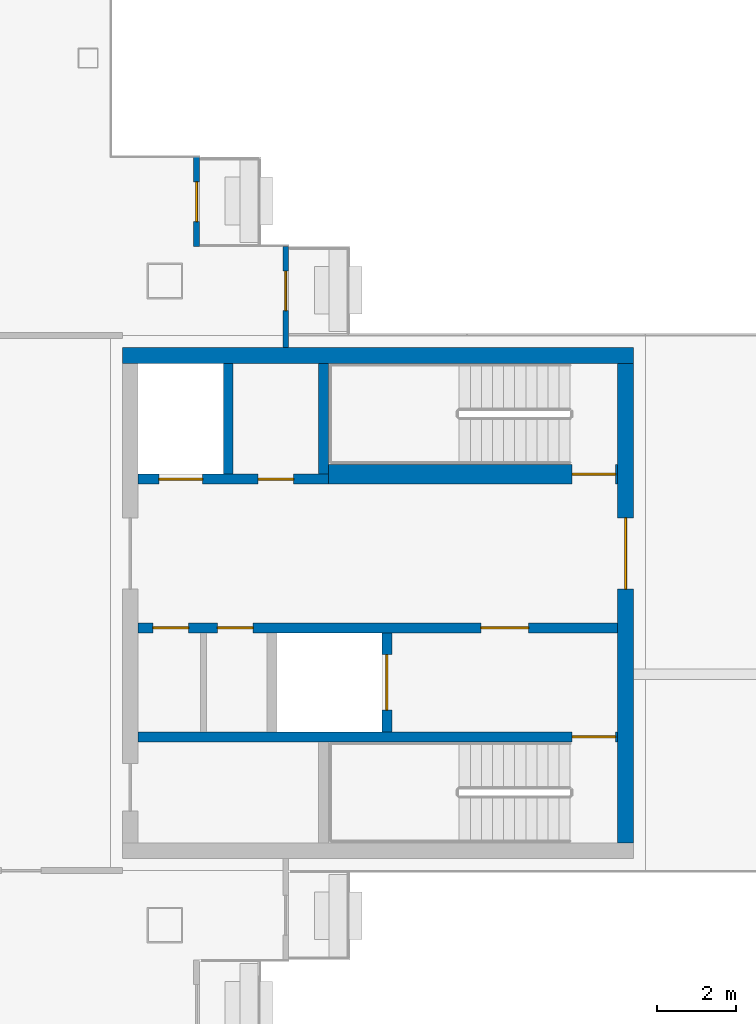
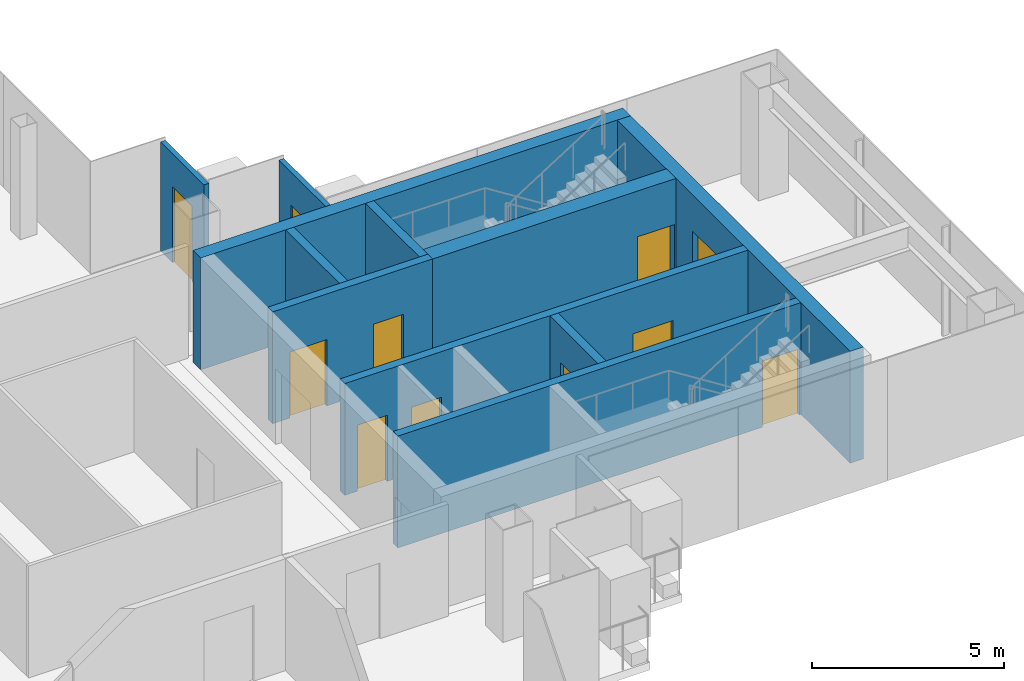
# One storey, part 12 of 16: 11 doors, 11 walls, 11 openings.
"""IFC4 building model written with IfcOpenShell, lengths in metres."""

from ifc_helpers import new_model, si_unit, direction, frame, frame_2d, origin, place, context, subcontext, project, spatial, rectangle, extrude, material, layer, layer_set, type_object, element, fill, save


model = new_model("IFC4")

# Units and contexts
model_context = context("Model", 3, precision=1e-05, world=origin(), true_north=direction((0.0, 1.0)))
body_context = subcontext(model_context, "Body", "Model", "MODEL_VIEW")
ifc_project = project(units=[si_unit("LENGTHUNIT", "METRE"), si_unit("AREAUNIT", "SQUARE_METRE"), si_unit("VOLUMEUNIT", "CUBIC_METRE"), si_unit("PLANEANGLEUNIT", "RADIAN"), si_unit("MASSUNIT", "GRAM", prefix="KILO")], contexts=[model_context])

# Site, building, storey
site_placement = place(None, origin())
site = spatial("IfcSite", under=ifc_project, at=site_placement, CompositionType="ELEMENT")
building_placement = place(site_placement, origin())
building = spatial("IfcBuilding", under=site, at=building_placement, Name="Shamsa Quay Exchange Towers", CompositionType="ELEMENT")
storey_placement = place(building_placement, frame((0.0, 0.0, 242.10009765625)))
storey = spatial("IfcBuildingStorey", under=building, at=storey_placement, Name="L58", CompositionType="ELEMENT", Elevation=242.10009765625)

# Wall, opening, door
ifc_material_1 = material(Name="Aluminium EN AW-6063 T6, black anodised, with black enamelled glass infill", Category="aluminium")
ifc_layer_1 = layer(ifc_material_1, 0.14990234375)
ifc_layer_set_1 = layer_set([ifc_layer_1], Name="BALCONY DOOR BAY WALL 150")
wall_type_1 = type_object("IfcWallType", Name="BALCONY DOOR BAY WALL 150", PredefinedType="SOLIDWALL", material=ifc_layer_set_1)
wall_1_placement = place(storey_placement, frame((42.675048828125, 11.25, 0.0), z_axis=(0.0, 0.0, 1.0), x_axis=(0.0, -1.0, 0.0)))
wall_1 = element("IfcWall", 1, at=wall_1_placement, inside=storey, type_object=wall_type_1, Name="Door bay T2-PKES L58", PredefinedType="SOLIDWALL", context=body_context, shape_type="SweptSolid", body=[
    extrude(rectangle(XDim=2.25, YDim=0.14990234375, at=frame_2d((1.125, 0.0))), origin(), (0.0, 0.0, 1.0), 3.449951171875),
])
opening_1_placement = place(wall_1_placement, frame((0.625, 0.0, 0.0)))
opening_1 = element("IfcOpeningElement", 2, at=opening_1_placement, cuts=wall_1, Name="Opening XD387", PredefinedType="OPENING", context=body_context, shape_type="SweptSolid", body=[
    extrude(rectangle(XDim=1.0, YDim=2.39990234375, at=frame_2d((0.5, 1.199951171875))), frame((0.0, 0.0849609375, 0.0), z_axis=(0.0, -1.0, 0.0), x_axis=(1.0, 0.0, 0.0)), (0.0, 0.0, 1.0), 0.169921875),
])
ifc_material_2 = material(Name="Aluminium EN AW-6063 T6, black anodised, with laminated glass leaf", Category="aluminium")
door_type_1 = type_object("IfcDoorType", Name="BALCONY DOOR 1000x2400", OperationType="SINGLE_SWING_LEFT", PredefinedType="DOOR", material=ifc_material_2)
door_1_placement = place(opening_1_placement, origin())
door_1 = element("IfcDoor", 3, at=door_1_placement, inside=storey, type_object=door_type_1, Name="Balcony door T2-PKES L58", OperationType="SINGLE_SWING_RIGHT", OverallHeight=2.39990234375, OverallWidth=1.0, PredefinedType="DOOR", context=body_context, shape_type="SweptSolid", body=[
    extrude(rectangle(XDim=1.0, YDim=2.39990234375, at=frame_2d((0.5, 1.199951171875))), frame((0.0, 0.02490234375, 0.0), z_axis=(0.0, -1.0, 0.0), x_axis=(1.0, 0.0, 0.0)), (0.0, 0.0, 1.0), 0.050048828125),
])
fill(opening_1, door_1)

wall_2_placement = place(storey_placement, frame((44.925048828125, 9.0, 0.0), z_axis=(0.0, 0.0, 1.0), x_axis=(0.0, -1.0, 0.0)))
wall_2 = element("IfcWall", 4, at=wall_2_placement, inside=storey, type_object=wall_type_1, Name="Door bay T2-PKES L58", PredefinedType="SOLIDWALL", context=body_context, shape_type="SweptSolid", body=[
    extrude(rectangle(XDim=2.556884765625, YDim=0.14990234375, at=frame_2d((1.2783203125, 0.0))), origin(), (0.0, 0.0, 1.0), 3.449951171875),
])
opening_2_placement = place(wall_2_placement, frame((0.625, 0.0, 0.0)))
opening_2 = element("IfcOpeningElement", 5, at=opening_2_placement, cuts=wall_2, Name="Opening XD388", PredefinedType="OPENING", context=body_context, shape_type="SweptSolid", body=[
    extrude(rectangle(XDim=1.0, YDim=2.39990234375, at=frame_2d((0.5, 1.199951171875))), frame((0.0, 0.0849609375, 0.0), z_axis=(0.0, -1.0, 0.0), x_axis=(1.0, 0.0, 0.0)), (0.0, 0.0, 1.0), 0.169921875),
])
door_2_placement = place(opening_2_placement, origin())
door_2 = element("IfcDoor", 6, at=door_2_placement, inside=storey, type_object=door_type_1, Name="Balcony door T2-PKES L58", OperationType="SINGLE_SWING_LEFT", OverallHeight=2.39990234375, OverallWidth=1.0, PredefinedType="DOOR", context=body_context, shape_type="SweptSolid", body=[
    extrude(rectangle(XDim=1.0, YDim=2.39990234375, at=frame_2d((0.5, 1.199951171875))), frame((0.0, 0.02490234375, 0.0), z_axis=(0.0, -1.0, 0.0), x_axis=(1.0, 0.0, 0.0)), (0.0, 0.0, 1.0), 0.050048828125),
])
fill(opening_2, door_2)

# Wall
ifc_material_3 = material(Name="Concrete C60/75", Category="concrete")
ifc_layer_2 = layer(ifc_material_3, 0.39990234375)
ifc_layer_set_2 = layer_set([ifc_layer_2], Name="CORE WALL 400 C60/75")
wall_type_2 = type_object("IfcWallType", Name="CORE WALL 400 C60/75", PredefinedType="SHEAR", material=ifc_layer_set_2)
wall_3_placement = place(storey_placement, frame((53.699951171875, 6.25, 0.0), z_axis=(0.0, 0.0, 1.0), x_axis=(-1.0, 0.0, 0.0)))
element("IfcWall", 7, at=wall_3_placement, inside=storey, type_object=wall_type_2, Name="Core wall T2B-R26-PN", PredefinedType="SHEAR", context=body_context, shape_type="SweptSolid", body=[
    extrude(rectangle(XDim=12.89990234375, YDim=0.39990234375, at=frame_2d((6.449951171875, 0.0))), origin(), (0.0, 0.0, 1.0), 3.5498046875),
])

# Wall, opening, door
wall_4_placement = place(storey_placement, frame((53.5, -6.050048828125, 0.0), z_axis=(0.0, 0.0, 1.0), x_axis=(0.0, 1.0, 0.0)))
wall_4 = element("IfcWall", 8, at=wall_4_placement, inside=storey, type_object=wall_type_2, Name="Core wall T2B-R26-PF", PredefinedType="SHEAR", context=body_context, shape_type="SweptSolid", body=[
    extrude(rectangle(XDim=12.10009765625, YDim=0.39990234375, at=frame_2d((6.050048828125, 0.0))), origin(), (0.0, 0.0, 1.0), 3.5498046875),
])
opening_3_placement = place(wall_4_placement, frame((6.39990234375, 0.0, 0.0)))
opening_3 = element("IfcOpeningElement", 9, at=opening_3_placement, cuts=wall_4, Name="Opening T2B-R26-LBD01", PredefinedType="OPENING", context=body_context, shape_type="SweptSolid", body=[
    extrude(rectangle(XDim=1.800048828125, YDim=2.39990234375, at=frame_2d((0.89990234375, 1.199951171875))), frame((0.0, 0.2099609375, 0.0), z_axis=(0.0, -1.0, 0.0), x_axis=(1.0, 0.0, 0.0)), (0.0, 0.0, 1.0), 0.419921875),
])
ifc_material_4 = material(Name="Steel, fire rated", Category="steel")
door_type_2 = type_object("IfcDoorType", Name="LIFT LOBBY DOOR PAIR 1800", OperationType="DOUBLE_DOOR_SINGLE_SWING", PredefinedType="DOOR", material=ifc_material_4)
door_3_placement = place(opening_3_placement, origin())
door_3 = element("IfcDoor", 10, at=door_3_placement, inside=storey, type_object=door_type_2, Name="T2B-R26-LBD01", OperationType="DOUBLE_DOOR_SINGLE_SWING", OverallHeight=2.39990234375, OverallWidth=1.800048828125, PredefinedType="DOOR", context=body_context, shape_type="SweptSolid", body=[
    extrude(rectangle(XDim=1.800048828125, YDim=2.39990234375, at=frame_2d((0.89990234375, 1.199951171875))), frame((0.0, 0.02490234375, 0.0), z_axis=(0.0, -1.0, 0.0), x_axis=(1.0, 0.0, 0.0)), (0.0, 0.0, 1.0), 0.050048828125),
])
fill(opening_3, door_3)

ifc_material_5 = material(Name="Concrete C50/60", Category="concrete")
ifc_layer_3 = layer(ifc_material_5, 0.25)
ifc_layer_set_3 = layer_set([ifc_layer_3], Name="SHAFT WALL 250 C50/60")
wall_type_3 = type_object("IfcWallType", Name="SHAFT WALL 250 C50/60", PredefinedType="SHEAR", material=ifc_layer_set_3)
wall_5_placement = place(storey_placement, frame((53.300048828125, -3.375, 0.0), z_axis=(0.0, 0.0, 1.0), x_axis=(-1.0, 0.0, 0.0)))
wall_5 = element("IfcWall", 11, at=wall_5_placement, inside=storey, type_object=wall_type_3, Name="Shaft wall T2B-R26-STL", PredefinedType="SHEAR", context=body_context, shape_type="SweptSolid", body=[
    extrude(rectangle(XDim=12.10009765625, YDim=0.25, at=frame_2d((6.050048828125, 0.0))), origin(), (0.0, 0.0, 1.0), 3.5498046875),
])
opening_4_placement = place(wall_5_placement, frame((0.050048828125, 0.0, 0.0)))
opening_4 = element("IfcOpeningElement", 12, at=opening_4_placement, cuts=wall_5, Name="Opening T2B-R26-SD04", PredefinedType="OPENING", context=body_context, shape_type="SweptSolid", body=[
    extrude(rectangle(XDim=1.10009765625, YDim=2.10009765625, at=frame_2d((0.550048828125, 1.050048828125))), frame((0.0, 0.135009765625, 0.0), z_axis=(0.0, -1.0, 0.0), x_axis=(1.0, 0.0, 0.0)), (0.0, 0.0, 1.0), 0.27001953125),
])
door_type_3 = type_object("IfcDoorType", Name="STAIR DOOR 1100", OperationType="SINGLE_SWING_LEFT", PredefinedType="DOOR", material=ifc_material_4)
door_4_placement = place(opening_4_placement, origin())
door_4 = element("IfcDoor", 13, at=door_4_placement, inside=storey, type_object=door_type_3, Name="T2B-R26-SD04", OperationType="SINGLE_SWING_LEFT", OverallHeight=2.10009765625, OverallWidth=1.10009765625, PredefinedType="DOOR", context=body_context, shape_type="SweptSolid", body=[
    extrude(rectangle(XDim=1.10009765625, YDim=2.10009765625, at=frame_2d((0.550048828125, 1.050048828125))), frame((0.0, 0.02490234375, 0.0), z_axis=(0.0, -1.0, 0.0), x_axis=(1.0, 0.0, 0.0)), (0.0, 0.0, 1.0), 0.050048828125),
])
fill(opening_4, door_4)

# Wall, openings, doors
wall_6_placement = place(storey_placement, frame((53.300048828125, -0.625, 0.0), z_axis=(0.0, 0.0, 1.0), x_axis=(-1.0, 0.0, 0.0)))
wall_6 = element("IfcWall", 14, at=wall_6_placement, inside=storey, type_object=wall_type_3, Name="Shaft wall T2B-R26-B", PredefinedType="SHEAR", context=body_context, shape_type="SweptSolid", body=[
    extrude(rectangle(XDim=12.10009765625, YDim=0.25, at=frame_2d((6.050048828125, 0.0))), origin(), (0.0, 0.0, 1.0), 3.5498046875),
])
opening_5_placement = place(wall_6_placement, frame((2.25, 0.0, 0.0)))
opening_5 = element("IfcOpeningElement", 15, at=opening_5_placement, cuts=wall_6, Name="Opening T2B-R26-FD05", PredefinedType="OPENING", context=body_context, shape_type="SweptSolid", body=[
    extrude(rectangle(XDim=1.199951171875, YDim=2.10009765625, at=frame_2d((0.60009765625, 1.050048828125))), frame((0.0, 0.135009765625, 0.0), z_axis=(0.0, -1.0, 0.0), x_axis=(1.0, 0.0, 0.0)), (0.0, 0.0, 1.0), 0.27001953125),
])
opening_6_placement = place(wall_6_placement, frame((9.199951171875, 0.0, 0.0)))
opening_6 = element("IfcOpeningElement", 16, at=opening_6_placement, cuts=wall_6, Name="Opening T2B-R26-SV06", PredefinedType="OPENING", context=body_context, shape_type="SweptSolid", body=[
    extrude(rectangle(XDim=0.89990234375, YDim=2.10009765625, at=frame_2d((0.449951171875, 1.050048828125))), frame((0.0, 0.135009765625, 0.0), z_axis=(0.0, -1.0, 0.0), x_axis=(1.0, 0.0, 0.0)), (0.0, 0.0, 1.0), 0.27001953125),
])
opening_7_placement = place(wall_6_placement, frame((10.824951171875, 0.0, 0.0)))
opening_7 = element("IfcOpeningElement", 17, at=opening_7_placement, cuts=wall_6, Name="Opening T2B-R26-SV07", PredefinedType="OPENING", context=body_context, shape_type="SweptSolid", body=[
    extrude(rectangle(XDim=0.89990234375, YDim=2.10009765625, at=frame_2d((0.449951171875, 1.050048828125))), frame((0.0, 0.135009765625, 0.0), z_axis=(0.0, -1.0, 0.0), x_axis=(1.0, 0.0, 0.0)), (0.0, 0.0, 1.0), 0.27001953125),
])
door_type_4 = type_object("IfcDoorType", Name="FIRE SERVICE LOBBY DOOR 1200", OperationType="SINGLE_SWING_LEFT", PredefinedType="DOOR", material=ifc_material_4)
door_5_placement = place(opening_5_placement, origin())
door_5 = element("IfcDoor", 18, at=door_5_placement, inside=storey, type_object=door_type_4, Name="T2B-R26-FD05", OperationType="SINGLE_SWING_LEFT", OverallHeight=2.10009765625, OverallWidth=1.199951171875, PredefinedType="DOOR", context=body_context, shape_type="SweptSolid", body=[
    extrude(rectangle(XDim=1.199951171875, YDim=2.10009765625, at=frame_2d((0.60009765625, 1.050048828125))), frame((0.0, 0.02490234375, 0.0), z_axis=(0.0, -1.0, 0.0), x_axis=(1.0, 0.0, 0.0)), (0.0, 0.0, 1.0), 0.050048828125),
])
fill(opening_5, door_5)
door_type_5 = type_object("IfcDoorType", Name="SERVICE ROOM DOOR 900", OperationType="SINGLE_SWING_LEFT", PredefinedType="DOOR", material=ifc_material_4)
door_6_placement = place(opening_6_placement, origin())
door_6 = element("IfcDoor", 19, at=door_6_placement, inside=storey, type_object=door_type_5, Name="T2B-R26-SV06", OperationType="SINGLE_SWING_RIGHT", OverallHeight=2.10009765625, OverallWidth=0.89990234375, PredefinedType="DOOR", context=body_context, shape_type="SweptSolid", body=[
    extrude(rectangle(XDim=0.89990234375, YDim=2.10009765625, at=frame_2d((0.449951171875, 1.050048828125))), frame((0.0, 0.02490234375, 0.0), z_axis=(0.0, -1.0, 0.0), x_axis=(1.0, 0.0, 0.0)), (0.0, 0.0, 1.0), 0.050048828125),
])
fill(opening_6, door_6)
door_7_placement = place(opening_7_placement, origin())
door_7 = element("IfcDoor", 20, at=door_7_placement, inside=storey, type_object=door_type_5, Name="T2B-R26-SV07", OperationType="SINGLE_SWING_RIGHT", OverallHeight=2.10009765625, OverallWidth=0.89990234375, PredefinedType="DOOR", context=body_context, shape_type="SweptSolid", body=[
    extrude(rectangle(XDim=0.89990234375, YDim=2.10009765625, at=frame_2d((0.449951171875, 1.050048828125))), frame((0.0, 0.02490234375, 0.0), z_axis=(0.0, -1.0, 0.0), x_axis=(1.0, 0.0, 0.0)), (0.0, 0.0, 1.0), 0.050048828125),
])
fill(opening_7, door_7)

# Wall, opening, door
wall_7_placement = place(storey_placement, frame((47.47509765625, -3.25, 0.0), z_axis=(0.0, 0.0, 1.0), x_axis=(0.0, 1.0, 0.0)))
wall_7 = element("IfcWall", 21, at=wall_7_placement, inside=storey, type_object=wall_type_3, Name="Shaft wall T2B-R26-FFF", PredefinedType="SHEAR", context=body_context, shape_type="SweptSolid", body=[
    extrude(rectangle(XDim=2.5, YDim=0.25, at=frame_2d((1.25, 0.0))), origin(), (0.0, 0.0, 1.0), 3.5498046875),
])
opening_8_placement = place(wall_7_placement, frame((0.550048828125, 0.0, 0.0)))
opening_8 = element("IfcOpeningElement", 22, at=opening_8_placement, cuts=wall_7, Name="Opening T2B-R26-LDG08", PredefinedType="OPENING", context=body_context, shape_type="SweptSolid", body=[
    extrude(rectangle(XDim=1.39990234375, YDim=2.39990234375, at=frame_2d((0.699951171875, 1.199951171875))), frame((0.0, 0.135009765625, 0.0), z_axis=(0.0, -1.0, 0.0), x_axis=(1.0, 0.0, 0.0)), (0.0, 0.0, 1.0), 0.27001953125),
])
door_type_6 = type_object("IfcDoorType", Name="GOODS LIFT LANDING DOOR 1400", OperationType="SLIDING_TO_LEFT", PredefinedType="DOOR", material=ifc_material_4)
door_8_placement = place(opening_8_placement, origin())
door_8 = element("IfcDoor", 23, at=door_8_placement, inside=storey, type_object=door_type_6, Name="T2B-R26-LDG08", OperationType="SLIDING_TO_LEFT", OverallHeight=2.39990234375, OverallWidth=1.39990234375, PredefinedType="DOOR", context=body_context, shape_type="SweptSolid", body=[
    extrude(rectangle(XDim=1.39990234375, YDim=2.39990234375, at=frame_2d((0.699951171875, 1.199951171875))), frame((0.0, 0.02490234375, 0.0), z_axis=(0.0, -1.0, 0.0), x_axis=(1.0, 0.0, 0.0)), (0.0, 0.0, 1.0), 0.050048828125),
])
fill(opening_8, door_8)

# Wall, openings, doors
wall_8_placement = place(storey_placement, frame((41.199951171875, 3.125, 0.0)))
wall_8 = element("IfcWall", 24, at=wall_8_placement, inside=storey, type_object=wall_type_3, Name="Shaft wall T2B-R26-N2", PredefinedType="SHEAR", context=body_context, shape_type="SweptSolid", body=[
    extrude(rectangle(XDim=4.800048828125, YDim=0.25, at=frame_2d((2.39990234375, 0.0))), origin(), (0.0, 0.0, 1.0), 3.5498046875),
])
opening_9_placement = place(wall_8_placement, frame((0.52490234375, 0.0, 0.0)))
opening_9 = element("IfcOpeningElement", 25, at=opening_9_placement, cuts=wall_8, Name="Opening T2B-R26-LD10", PredefinedType="OPENING", context=body_context, shape_type="SweptSolid", body=[
    extrude(rectangle(XDim=1.10009765625, YDim=2.10009765625, at=frame_2d((0.550048828125, 1.050048828125))), frame((0.0, 0.135009765625, 0.0), z_axis=(0.0, -1.0, 0.0), x_axis=(1.0, 0.0, 0.0)), (0.0, 0.0, 1.0), 0.27001953125),
])
opening_10_placement = place(wall_8_placement, frame((3.02490234375, 0.0, 0.0)))
opening_10 = element("IfcOpeningElement", 26, at=opening_10_placement, cuts=wall_8, Name="Opening T2B-R26-SV11", PredefinedType="OPENING", context=body_context, shape_type="SweptSolid", body=[
    extrude(rectangle(XDim=0.89990234375, YDim=2.10009765625, at=frame_2d((0.449951171875, 1.050048828125))), frame((0.0, 0.135009765625, 0.0), z_axis=(0.0, -1.0, 0.0), x_axis=(1.0, 0.0, 0.0)), (0.0, 0.0, 1.0), 0.27001953125),
])
door_type_7 = type_object("IfcDoorType", Name="LANDING DOOR 1100", OperationType="SLIDING_TO_LEFT", PredefinedType="DOOR", material=ifc_material_4)
door_9_placement = place(opening_9_placement, origin())
door_9 = element("IfcDoor", 27, at=door_9_placement, inside=storey, type_object=door_type_7, Name="T2B-R26-LD10", OperationType="SLIDING_TO_LEFT", OverallHeight=2.10009765625, OverallWidth=1.10009765625, PredefinedType="DOOR", context=body_context, shape_type="SweptSolid", body=[
    extrude(rectangle(XDim=1.10009765625, YDim=2.10009765625, at=frame_2d((0.550048828125, 1.050048828125))), frame((0.0, 0.02490234375, 0.0), z_axis=(0.0, -1.0, 0.0), x_axis=(1.0, 0.0, 0.0)), (0.0, 0.0, 1.0), 0.050048828125),
])
fill(opening_9, door_9)
door_10_placement = place(opening_10_placement, origin())
door_10 = element("IfcDoor", 28, at=door_10_placement, inside=storey, type_object=door_type_5, Name="T2B-R26-SV11", OperationType="SINGLE_SWING_RIGHT", OverallHeight=2.10009765625, OverallWidth=0.89990234375, PredefinedType="DOOR", context=body_context, shape_type="SweptSolid", body=[
    extrude(rectangle(XDim=0.89990234375, YDim=2.10009765625, at=frame_2d((0.449951171875, 1.050048828125))), frame((0.0, 0.02490234375, 0.0), z_axis=(0.0, -1.0, 0.0), x_axis=(1.0, 0.0, 0.0)), (0.0, 0.0, 1.0), 0.050048828125),
])
fill(opening_10, door_10)

# Walls
for number, where, z_axis, x_axis, name in (
    (29, (45.875, 3.25, 0.0), (0.0, 0.0, 1.0), (0.0, 1.0, 0.0), "Shaft wall T2B-R26-STF2"),
    (30, (43.47509765625, 3.25, 0.0), (0.0, 0.0, 1.0), (0.0, 1.0, 0.0), "Shaft wall T2B-R26-D0"),
):
    element("IfcWall", number, at=place(storey_placement, frame(where, z_axis=z_axis, x_axis=x_axis)), inside=storey, type_object=wall_type_3, Name=name, PredefinedType="SHEAR", context=body_context, shape_type="SweptSolid", body=[
        extrude(rectangle(XDim=2.800048828125, YDim=0.25, at=frame_2d((1.39990234375, 0.0))), origin(), (0.0, 0.0, 1.0), 3.5498046875),
    ])

# Wall, opening, door
ifc_layer_4 = layer(ifc_material_5, 0.5)
ifc_layer_set_4 = layer_set([ifc_layer_4], Name="SHAFT WALL 500 C50/60")
wall_type_4 = type_object("IfcWallType", Name="SHAFT WALL 500 C50/60", PredefinedType="SHEAR", material=ifc_layer_set_4)
wall_9_placement = place(storey_placement, frame((46.0, 3.25, 0.0)))
wall_9 = element("IfcWall", 31, at=wall_9_placement, inside=storey, type_object=wall_type_4, Name="Shaft wall T2B-R26-N", PredefinedType="SHEAR", context=body_context, shape_type="SweptSolid", body=[
    extrude(rectangle(XDim=7.300048828125, YDim=0.5, at=frame_2d((3.64990234375, 0.0))), origin(), (0.0, 0.0, 1.0), 3.5498046875),
])
opening_11_placement = place(wall_9_placement, frame((6.14990234375, 0.0, 0.0)))
opening_11 = element("IfcOpeningElement", 32, at=opening_11_placement, cuts=wall_9, Name="Opening T2B-R26-SD09", PredefinedType="OPENING", context=body_context, shape_type="SweptSolid", body=[
    extrude(rectangle(XDim=1.10009765625, YDim=2.10009765625, at=frame_2d((0.550048828125, 1.050048828125))), frame((0.0, 0.260009765625, 0.0), z_axis=(0.0, -1.0, 0.0), x_axis=(1.0, 0.0, 0.0)), (0.0, 0.0, 1.0), 0.52001953125),
])
door_11_placement = place(opening_11_placement, origin())
door_11 = element("IfcDoor", 33, at=door_11_placement, inside=storey, type_object=door_type_3, Name="T2B-R26-SD09", OperationType="SINGLE_SWING_RIGHT", OverallHeight=2.10009765625, OverallWidth=1.10009765625, PredefinedType="DOOR", context=body_context, shape_type="SweptSolid", body=[
    extrude(rectangle(XDim=1.10009765625, YDim=2.10009765625, at=frame_2d((0.550048828125, 1.050048828125))), frame((0.0, 0.02490234375, 0.0), z_axis=(0.0, -1.0, 0.0), x_axis=(1.0, 0.0, 0.0)), (0.0, 0.0, 1.0), 0.050048828125),
])
fill(opening_11, door_11)

save(model, "model.ifc")
